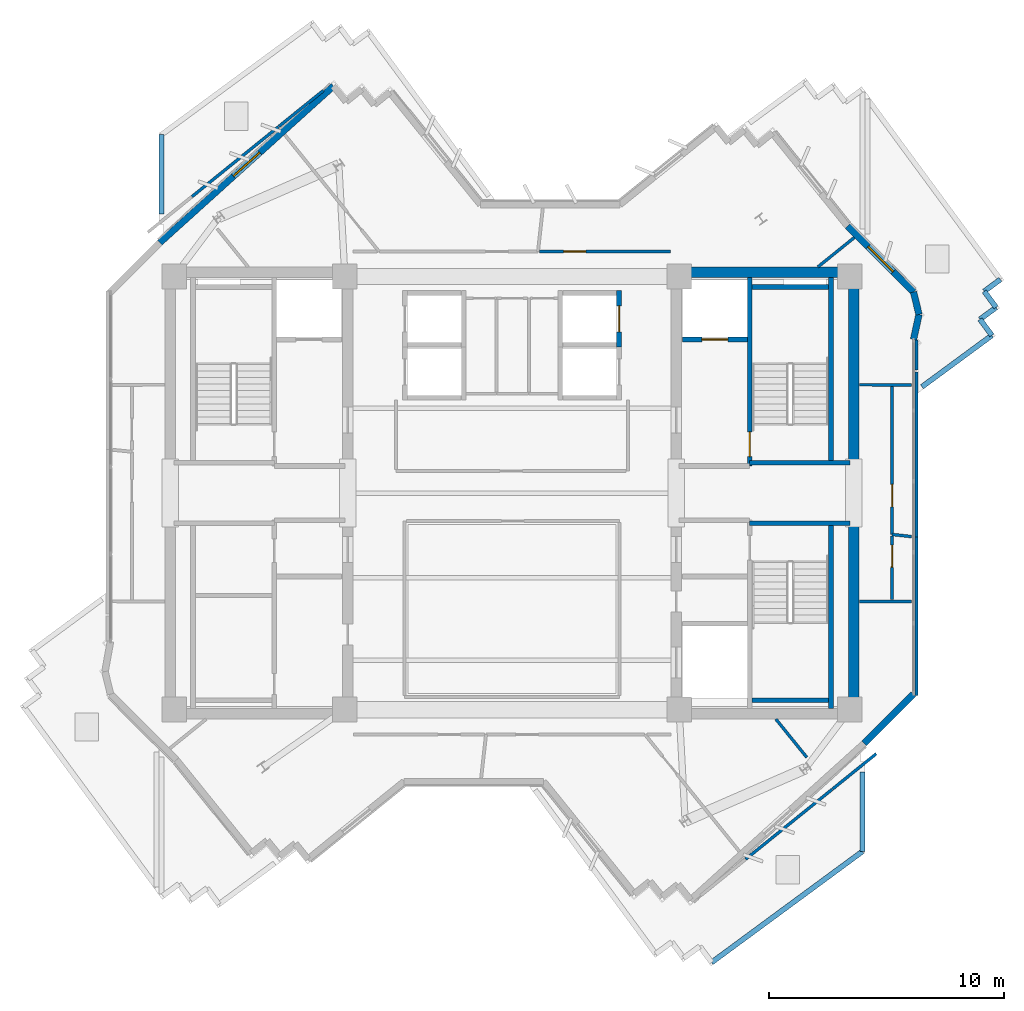
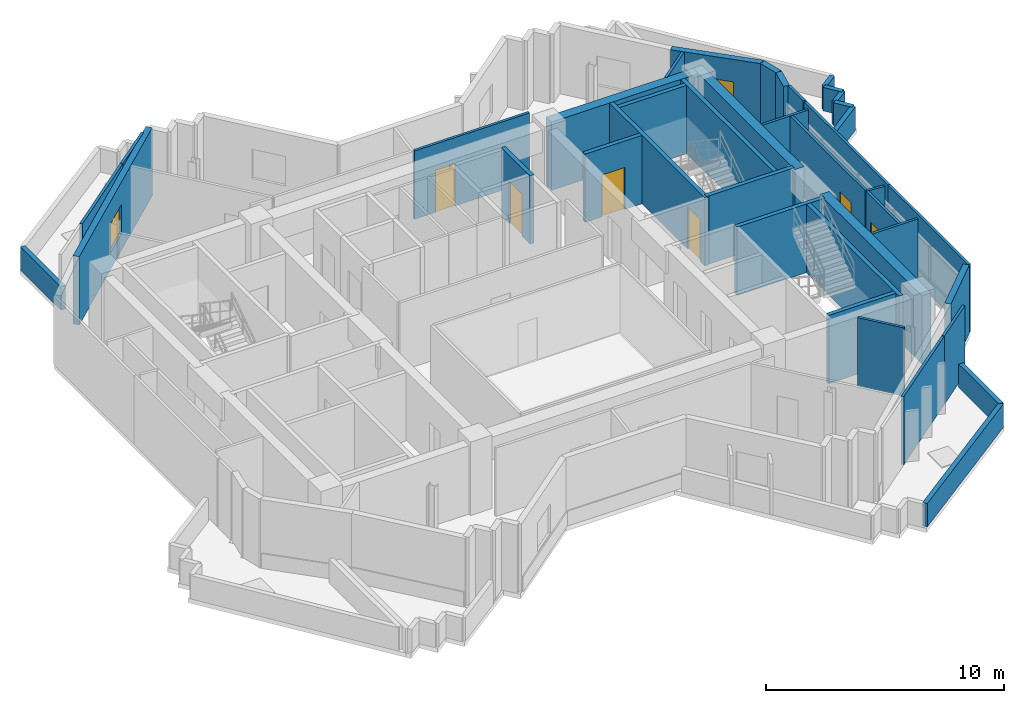
# One storey, part 9 of 12: 40 walls, 6 doors, 2 windows, 8 openings.
"""IFC4 building model written with IfcOpenShell, lengths in metres."""

from ifc_helpers import new_model, si_unit, direction, frame, frame_2d, origin, place, context, subcontext, project, spatial, rectangle, extrude, source, transform, mapped, material, layer, layer_set, type_object, element, fill, save


model = new_model("IFC4")

# Units and contexts
model_context = context("Model", 3, precision=1e-05, world=origin(), true_north=direction((0.0, 1.0)))
body_context = subcontext(model_context, "Body", "Model", "MODEL_VIEW")
ifc_project = project(units=[si_unit("LENGTHUNIT", "METRE"), si_unit("AREAUNIT", "SQUARE_METRE"), si_unit("VOLUMEUNIT", "CUBIC_METRE"), si_unit("PLANEANGLEUNIT", "RADIAN"), si_unit("MASSUNIT", "GRAM", prefix="KILO")], contexts=[model_context])

# Site, building, storey
site_placement = place(None, origin())
site = spatial("IfcSite", under=ifc_project, at=site_placement, CompositionType="ELEMENT")
building_placement = place(site_placement, origin())
building = spatial("IfcBuilding", under=site, at=building_placement, Name="Zahravan Cultural Tower", CompositionType="ELEMENT")
storey_placement = place(building_placement, frame((0.0, 0.0, 280.35009765625)))
storey = spatial("IfcBuildingStorey", under=building, at=storey_placement, Name="L67", CompositionType="ELEMENT", Elevation=280.35009765625)

# Wall, opening, window
ifc_material_1 = material(Name="Precast concrete C40/50", Category="concrete")
ifc_layer_1 = layer(ifc_material_1, 0.280029296875)
ifc_layer_set_1 = layer_set([ifc_layer_1], Name="Precast concrete C40/50")
wall_type_1 = type_object("IfcWallType", Name="EW-TC-280", PredefinedType="SOLIDWALL", material=ifc_layer_set_1)
wall_1_placement = place(storey_placement, frame((21.0361328125, 37.63818359375, 0.0), z_axis=(0.0, 0.0, 1.0), x_axis=(0.742587457262, 0.669749108486, 0.0)))
wall_1 = element("IfcWall", 1, at=wall_1_placement, inside=storey, type_object=wall_type_1, Name="L67 Exterior Masonry Frame Wall 02", PredefinedType="SOLIDWALL", context=body_context, shape_type="SweptSolid", body=[
    extrude(rectangle(XDim=9.934814453125, YDim=0.280029296875, at=frame_2d((4.96728515625, 0.0))), origin(), (0.0, 0.0, 1.0), 3.5),
])
opening_1_placement = place(wall_1_placement, frame((4.217041015625, 0.0, 0.85009765625)))
opening_1 = element("IfcOpeningElement", 2, at=opening_1_placement, cuts=wall_1, Name="Opening WN-03", PredefinedType="OPENING", context=body_context, shape_type="SweptSolid", body=[
    extrude(rectangle(XDim=1.5, YDim=1.5, at=frame_2d((0.75, 0.75))), frame((0.0, 0.14990234375, 0.0), z_axis=(0.0, -1.0, 0.0), x_axis=(1.0, 0.0, 0.0)), (0.0, 0.0, 1.0), 0.300048828125),
])
ifc_material_2 = material(Name="Low-E solar-control double glazing", Category="glass")
window_type = type_object("IfcWindowType", Name="WN-REC-1500X1500", PartitioningType="SINGLE_PANEL", PredefinedType="WINDOW", material=ifc_material_2)
shared_shape_1 = source(origin(), body_context, "Body", "SweptSolid", [
    extrude(rectangle(XDim=1.5, YDim=1.5, at=frame_2d((0.75, 0.75))), frame((0.0, 0.030029296875, 0.0), z_axis=(0.0, -1.0, 0.0), x_axis=(1.0, 0.0, 0.0)), (0.0, 0.0, 1.0), 0.06005859375),
])
window_1_placement = place(opening_1_placement, origin())
window_1 = element("IfcWindow", 3, at=window_1_placement, inside=storey, type_object=window_type, Name="L67 Recessed Solar Window 01", OverallHeight=1.5, OverallWidth=1.5, PartitioningType="SINGLE_PANEL", PredefinedType="WINDOW", context=body_context, shape_type="MappedRepresentation", body=[
    mapped(shared_shape_1, transform((0.0, 0.0, 0.0), x_axis=(1.0, 0.0, 0.0), y_axis=(0.0, 1.0, 0.0), z_axis=(0.0, 0.0, 1.0), scale=1.0)),
])
fill(opening_1, window_1)

wall_2_placement = place(storey_placement, frame((50.259765625, 38.34228515625, 0.0), z_axis=(0.0, 0.0, 1.0), x_axis=(0.707106781187, -0.707106781187, 0.0)))
wall_2 = element("IfcWall", 4, at=wall_2_placement, inside=storey, type_object=wall_type_1, Name="L67 Exterior Masonry Frame Wall 15", PredefinedType="SOLIDWALL", context=body_context, shape_type="SweptSolid", body=[
    extrude(rectangle(XDim=3.960205078125, YDim=0.280029296875, at=frame_2d((1.97998046875, 0.0))), origin(), (0.0, 0.0, 1.0), 3.5),
])
opening_2_placement = place(wall_2_placement, frame((1.22998046875, 0.0, 0.85009765625)))
opening_2 = element("IfcOpeningElement", 5, at=opening_2_placement, cuts=wall_2, Name="Opening WN-03", PredefinedType="OPENING", context=body_context, shape_type="SweptSolid", body=[
    extrude(rectangle(XDim=1.5, YDim=1.5, at=frame_2d((0.75, 0.75))), frame((0.0, 0.14990234375, 0.0), z_axis=(0.0, -1.0, 0.0), x_axis=(1.0, 0.0, 0.0)), (0.0, 0.0, 1.0), 0.300048828125),
])
window_2_placement = place(opening_2_placement, origin())
window_2 = element("IfcWindow", 6, at=window_2_placement, inside=storey, type_object=window_type, Name="L67 Recessed Solar Window 05", OverallHeight=1.5, OverallWidth=1.5, PartitioningType="SINGLE_PANEL", PredefinedType="WINDOW", context=body_context, shape_type="MappedRepresentation", body=[
    mapped(shared_shape_1, transform((0.0, 0.0, 0.0), x_axis=(1.0, 0.0, 0.0), y_axis=(0.0, 1.0, 0.0), z_axis=(0.0, 0.0, 1.0), scale=1.0)),
])
fill(opening_2, window_2)

# Wall, opening, door
ifc_material_3 = material(Name="Gypsum plasterboard partition")
ifc_layer_2 = layer(ifc_material_3, 0.125)
ifc_layer_set_2 = layer_set([ifc_layer_2], Name="Gypsum plasterboard partition")
wall_type_2 = type_object("IfcWallType", Name="W-PART-125", PredefinedType="PARTITIONING", material=ifc_layer_set_2)
wall_3_placement = place(storey_placement, frame((52.14990234375, 25.240478515625, 0.0), z_axis=(0.0, 0.0, 1.0), x_axis=(-0.000155231293, 0.999999987952, 0.0)))
wall_3 = element("IfcWall", 7, at=wall_3_placement, inside=storey, type_object=wall_type_2, Name="L67 Interior Wall 060", PredefinedType="PARTITIONING", context=body_context, shape_type="SweptSolid", body=[
    extrude(rectangle(XDim=6.291015625, YDim=0.125, at=frame_2d((3.1455078125, 0.0))), origin(), (0.0, 0.0, 1.0), 3.5),
])
opening_3_placement = place(wall_3_placement, frame((1.175048828125, 0.0, 0.0)))
opening_3 = element("IfcOpeningElement", 8, at=opening_3_placement, cuts=wall_3, Name="Opening D-L67-17", PredefinedType="OPENING", context=body_context, shape_type="SweptSolid", body=[
    extrude(rectangle(XDim=0.949951171875, YDim=2.14990234375, at=frame_2d((0.47509765625, 1.074951171875))), frame((0.0, 0.072509765625, 0.0), z_axis=(0.0, -1.0, 0.0), x_axis=(1.0, 0.0, 0.0)), (0.0, 0.0, 1.0), 0.14501953125),
])
ifc_material_4 = material(Name="Anodised bronze-aluminium mullion", Category="aluminium")
door_type_1 = type_object("IfcDoorType", Name="DR-ROOM-950", OperationType="NOTDEFINED", PredefinedType="DOOR", material=ifc_material_4)
shared_shape_2 = source(origin(), body_context, "Body", "SweptSolid", [
    extrude(rectangle(XDim=0.949951171875, YDim=2.14990234375, at=frame_2d((0.47509765625, 1.074951171875))), frame((0.0, 0.02490234375, 0.0), z_axis=(0.0, -1.0, 0.0), x_axis=(1.0, 0.0, 0.0)), (0.0, 0.0, 1.0), 0.050048828125),
])
door_1_placement = place(opening_3_placement, origin())
door_1 = element("IfcDoor", 9, at=door_1_placement, inside=storey, type_object=door_type_1, Name="L67 Door D-L67-17", OperationType="SINGLE_SWING_RIGHT", OverallHeight=2.14990234375, OverallWidth=0.949951171875, PredefinedType="DOOR", context=body_context, shape_type="MappedRepresentation", body=[
    mapped(shared_shape_2, transform((0.0, 0.0, 0.0), x_axis=(1.0, 0.0, 0.0), y_axis=(0.0, 1.0, 0.0), z_axis=(0.0, 0.0, 1.0), scale=1.0)),
])
fill(opening_3, door_1)

wall_4_placement = place(storey_placement, frame((52.146484375, 22.468017578125, 0.0), z_axis=(0.0, 0.0, 1.0), x_axis=(0.001263765014, 0.999999201449, 0.0)))
wall_4 = element("IfcWall", 10, at=wall_4_placement, inside=storey, type_object=wall_type_2, Name="L67 Interior Wall 063", PredefinedType="PARTITIONING", context=body_context, shape_type="SweptSolid", body=[
    extrude(rectangle(XDim=2.70458984375, YDim=0.125, at=frame_2d((1.352294921875, 0.0))), origin(), (0.0, 0.0, 1.0), 3.5),
])
opening_4_placement = place(wall_4_placement, frame((1.36865234375, 0.0, 0.0)))
opening_4 = element("IfcOpeningElement", 11, at=opening_4_placement, cuts=wall_4, Name="Opening D-L67-24", PredefinedType="OPENING", context=body_context, shape_type="SweptSolid", body=[
    extrude(rectangle(XDim=0.949951171875, YDim=2.14990234375, at=frame_2d((0.47509765625, 1.074951171875))), frame((0.0, 0.072509765625, 0.0), z_axis=(0.0, -1.0, 0.0), x_axis=(1.0, 0.0, 0.0)), (0.0, 0.0, 1.0), 0.14501953125),
])
door_2_placement = place(opening_4_placement, origin())
door_2 = element("IfcDoor", 12, at=door_2_placement, inside=storey, type_object=door_type_1, Name="L67 Door D-L67-24", OperationType="SINGLE_SWING_LEFT", OverallHeight=2.14990234375, OverallWidth=0.949951171875, PredefinedType="DOOR", context=body_context, shape_type="MappedRepresentation", body=[
    mapped(shared_shape_2, transform((0.0, 0.0, 0.0), x_axis=(1.0, 0.0, 0.0), y_axis=(0.0, 1.0, 0.0), z_axis=(0.0, 0.0, 1.0), scale=1.0)),
])
fill(opening_4, door_2)

wall_5_placement = place(storey_placement, frame((42.742431640625, 37.259765625, 0.0), z_axis=(0.0, 0.0, 1.0), x_axis=(-0.99999999904, 4.382505e-05, 0.0)))
wall_5 = element("IfcWall", 13, at=wall_5_placement, inside=storey, type_object=wall_type_2, Name="L67 Interior Wall 086", PredefinedType="PARTITIONING", context=body_context, shape_type="SweptSolid", body=[
    extrude(rectangle(XDim=5.57080078125, YDim=0.125, at=frame_2d((2.785400390625, 0.0))), origin(), (0.0, 0.0, 1.0), 3.5),
])
opening_5_placement = place(wall_5_placement, frame((3.604248046875, 0.0, 0.0)))
opening_5 = element("IfcOpeningElement", 14, at=opening_5_placement, cuts=wall_5, Name="Opening D-L67-18", PredefinedType="OPENING", context=body_context, shape_type="SweptSolid", body=[
    extrude(rectangle(XDim=0.949951171875, YDim=2.14990234375, at=frame_2d((0.47509765625, 1.074951171875))), frame((0.0, 0.072509765625, 0.0), z_axis=(0.0, -1.0, 0.0), x_axis=(1.0, 0.0, 0.0)), (0.0, 0.0, 1.0), 0.14501953125),
])
door_3_placement = place(opening_5_placement, origin())
door_3 = element("IfcDoor", 15, at=door_3_placement, inside=storey, type_object=door_type_1, Name="L67 Door D-L67-18", OperationType="SINGLE_SWING_LEFT", OverallHeight=2.14990234375, OverallWidth=0.949951171875, PredefinedType="DOOR", context=body_context, shape_type="MappedRepresentation", body=[
    mapped(shared_shape_2, transform((0.0, 0.0, 0.0), x_axis=(1.0, 0.0, 0.0), y_axis=(0.0, 1.0, 0.0), z_axis=(0.0, 0.0, 1.0), scale=1.0)),
])
fill(opening_5, door_3)

ifc_material_5 = material(Name="Concrete C45/55", Category="concrete")
ifc_layer_3 = layer(ifc_material_5, 0.199951171875)
ifc_layer_set_3 = layer_set([ifc_layer_3], Name="Concrete C45/55")
wall_type_3 = type_object("IfcWallType", Name="W-SHAFT-200", PredefinedType="SOLIDWALL", material=ifc_layer_set_3)
wall_6_placement = place(storey_placement, frame((46.10009765625, 28.14990234375, 0.0), z_axis=(0.0, 0.0, 1.0), x_axis=(0.0, 1.0, 0.0)))
wall_6 = element("IfcWall", 16, at=wall_6_placement, inside=storey, type_object=wall_type_3, Name="L67 Interior Wall 008", PredefinedType="SOLIDWALL", context=body_context, shape_type="SweptSolid", body=[
    extrude(rectangle(XDim=8.0, YDim=0.199951171875, at=frame_2d((4.0, 0.0))), origin(), (0.0, 0.0, 1.0), 3.5),
])
opening_6_placement = place(wall_6_placement, frame((0.39990234375, 0.0, 0.0)))
opening_6 = element("IfcOpeningElement", 17, at=opening_6_placement, cuts=wall_6, Name="Opening D-L67-02", PredefinedType="OPENING", context=body_context, shape_type="SweptSolid", body=[
    extrude(rectangle(XDim=1.050048828125, YDim=2.14990234375, at=frame_2d((0.52490234375, 1.074951171875))), frame((0.0, 0.10986328125, 0.0), z_axis=(0.0, -1.0, 0.0), x_axis=(1.0, 0.0, 0.0)), (0.0, 0.0, 1.0), 0.219970703125),
])
ifc_material_6 = material(Name="Steel ASTM A572 Grade 50", Category="steel")
door_type_2 = type_object("IfcDoorType", Name="DR-STAIR-1050", OperationType="NOTDEFINED", PredefinedType="DOOR", material=ifc_material_6)
shared_shape_3 = source(origin(), body_context, "Body", "SweptSolid", [
    extrude(rectangle(XDim=1.050048828125, YDim=2.14990234375, at=frame_2d((0.52490234375, 1.074951171875))), frame((0.0, 0.02490234375, 0.0), z_axis=(0.0, -1.0, 0.0), x_axis=(1.0, 0.0, 0.0)), (0.0, 0.0, 1.0), 0.050048828125),
])
door_4_placement = place(opening_6_placement, origin())
door_4 = element("IfcDoor", 18, at=door_4_placement, inside=storey, type_object=door_type_2, Name="L67 Door D-L67-02", OperationType="SINGLE_SWING_LEFT", OverallHeight=2.14990234375, OverallWidth=1.050048828125, PredefinedType="DOOR", context=body_context, shape_type="MappedRepresentation", body=[
    mapped(shared_shape_3, transform((0.0, 0.0, 0.0), x_axis=(1.0, 0.0, 0.0), y_axis=(0.0, 1.0, 0.0), z_axis=(0.0, 0.0, 1.0), scale=1.0)),
])
fill(opening_6, door_4)

wall_7_placement = place(storey_placement, frame((43.25, 33.52001953125, 0.0), z_axis=(0.0, 0.0, 1.0), x_axis=(1.0, 0.0, 0.0)))
wall_7 = element("IfcWall", 19, at=wall_7_placement, inside=storey, type_object=wall_type_3, Name="L67 Interior Wall 023", PredefinedType="SOLIDWALL", context=body_context, shape_type="SweptSolid", body=[
    extrude(rectangle(XDim=2.75, YDim=0.199951171875, at=frame_2d((1.375, 0.0))), origin(), (0.0, 0.0, 1.0), 3.5),
])
opening_7_placement = place(wall_7_placement, frame((0.820068359375, 0.0, 0.0)))
opening_7 = element("IfcOpeningElement", 20, at=opening_7_placement, cuts=wall_7, Name="Opening LD-L67-02", PredefinedType="OPENING", context=body_context, shape_type="SweptSolid", body=[
    extrude(rectangle(XDim=1.10009765625, YDim=2.14990234375, at=frame_2d((0.550048828125, 1.074951171875))), frame((0.0, 0.10986328125, 0.0), z_axis=(0.0, -1.0, 0.0), x_axis=(1.0, 0.0, 0.0)), (0.0, 0.0, 1.0), 0.219970703125),
])
door_type_3 = type_object("IfcDoorType", Name="DR-LIFT-1100", OperationType="DOUBLE_DOOR_SLIDING", PredefinedType="DOOR", material=ifc_material_6)
shared_shape_4 = source(origin(), body_context, "Body", "SweptSolid", [
    extrude(rectangle(XDim=1.10009765625, YDim=2.14990234375, at=frame_2d((0.550048828125, 1.074951171875))), frame((0.0, 0.02490234375, 0.0), z_axis=(0.0, -1.0, 0.0), x_axis=(1.0, 0.0, 0.0)), (0.0, 0.0, 1.0), 0.050048828125),
])
door_5_placement = place(opening_7_placement, origin())
door_5 = element("IfcDoor", 21, at=door_5_placement, inside=storey, type_object=door_type_3, Name="L67 Door LD-L67-02", OperationType="DOUBLE_DOOR_SLIDING", OverallHeight=2.14990234375, OverallWidth=1.10009765625, PredefinedType="DOOR", context=body_context, shape_type="MappedRepresentation", body=[
    mapped(shared_shape_4, transform((0.0, 0.0, 0.0), x_axis=(1.0, 0.0, 0.0), y_axis=(0.0, 1.0, 0.0), z_axis=(0.0, 0.0, 1.0), scale=1.0)),
])
fill(opening_7, door_5)

wall_8_placement = place(storey_placement, frame((40.550048828125, 33.199951171875, 0.0), z_axis=(0.0, 0.0, 1.0), x_axis=(0.0, 1.0, 0.0)))
wall_8 = element("IfcWall", 22, at=wall_8_placement, inside=storey, type_object=wall_type_3, Name="L67 Interior Wall 035", PredefinedType="SOLIDWALL", context=body_context, shape_type="SweptSolid", body=[
    extrude(rectangle(XDim=2.400146484375, YDim=0.199951171875, at=frame_2d((1.2001953125, 0.0))), origin(), (0.0, 0.0, 1.0), 3.5),
])
opening_8_placement = place(wall_8_placement, frame((0.64990234375, 0.0, 0.0)))
opening_8 = element("IfcOpeningElement", 23, at=opening_8_placement, cuts=wall_8, Name="Opening LD-L67-06", PredefinedType="OPENING", context=body_context, shape_type="SweptSolid", body=[
    extrude(rectangle(XDim=1.10009765625, YDim=2.14990234375, at=frame_2d((0.550048828125, 1.074951171875))), frame((0.0, 0.10986328125, 0.0), z_axis=(0.0, -1.0, 0.0), x_axis=(1.0, 0.0, 0.0)), (0.0, 0.0, 1.0), 0.219970703125),
])
door_6_placement = place(opening_8_placement, origin())
door_6 = element("IfcDoor", 24, at=door_6_placement, inside=storey, type_object=door_type_3, Name="L67 Door LD-L67-06", OperationType="DOUBLE_DOOR_SLIDING", OverallHeight=2.14990234375, OverallWidth=1.10009765625, PredefinedType="DOOR", context=body_context, shape_type="MappedRepresentation", body=[
    mapped(shared_shape_4, transform((0.0, 0.0, 0.0), x_axis=(1.0, 0.0, 0.0), y_axis=(0.0, 1.0, 0.0), z_axis=(0.0, 0.0, 1.0), scale=1.0)),
])
fill(opening_8, door_6)

# Walls
ifc_material_7 = material(Name="Concrete C50/60", Category="concrete")
ifc_layer_4 = layer(ifc_material_7, 0.449951171875)
ifc_layer_set_4 = layer_set([ifc_layer_4], Name="Concrete C50/60")
wall_type_4 = type_object("IfcWallType", Name="CW-SHEAR-450-C50", PredefinedType="SHEAR", material=ifc_layer_set_4)
shared_shape_5 = source(origin(), body_context, "Body", "SweptSolid", [
    extrude(rectangle(XDim=8.550048828125, YDim=0.449951171875, at=frame_2d((4.27490234375, 0.0))), origin(), (0.0, 0.0, 1.0), 3.5),
])
for number, where, z_axis, x_axis, name in (
    (25, (50.52490234375, 17.39990234375, 0.0), (0.0, 0.0, 1.0), (0.0, 1.0, 0.0), "L67 Core Shear Wall CW-E-ES-L67"),
    (26, (50.52490234375, 28.050048828125, 0.0), (0.0, 0.0, 1.0), (0.0, 1.0, 0.0), "L67 Core Shear Wall CW-E-EN-L67"),
):
    element("IfcWall", number, at=place(storey_placement, frame(where, z_axis=z_axis, x_axis=x_axis)), inside=storey, type_object=wall_type_4, Name=name, PredefinedType="SHEAR", context=body_context, shape_type="MappedRepresentation", body=[
        mapped(shared_shape_5, transform((0.0, 0.0, 0.0), x_axis=(1.0, 0.0, 0.0), y_axis=(0.0, 1.0, 0.0), z_axis=(0.0, 0.0, 1.0), scale=1.0)),
    ])
shared_shape_6 = source(origin(), body_context, "Body", "SweptSolid", [
    extrude(rectangle(XDim=7.10009765625, YDim=0.449951171875, at=frame_2d((3.550048828125, 0.0))), origin(), (0.0, 0.0, 1.0), 3.5),
])
wall_9_placement = place(storey_placement, frame((43.199951171875, 36.375, 0.0), z_axis=(0.0, 0.0, 1.0), x_axis=(1.0, 0.0, 0.0)))
element("IfcWall", 27, at=wall_9_placement, inside=storey, type_object=wall_type_4, Name="L67 Core Shear Wall CW-E-N-L67", PredefinedType="SHEAR", context=body_context, shape_type="MappedRepresentation", body=[
    mapped(shared_shape_6, transform((0.0, 0.0, 0.0), x_axis=(1.0, 0.0, 0.0), y_axis=(0.0, 1.0, 0.0), z_axis=(0.0, 0.0, 1.0), scale=1.0)),
])
ifc_layer_5 = layer(ifc_material_1, 0.219970703125)
ifc_layer_set_5 = layer_set([ifc_layer_5], Name="Precast concrete C40/50")
wall_type_5 = type_object("IfcWallType", Name="EW-PARAPET-220", PredefinedType="PARAPET", material=ifc_layer_set_5)
shared_shape_7 = source(origin(), body_context, "Body", "SweptSolid", [
    extrude(rectangle(XDim=0.85009765625, YDim=0.219970703125, at=frame_2d((0.425048828125, 0.0))), origin(), (0.0, 0.0, 1.0), 1.199951171875),
])
for number, where, z_axis, x_axis, name in (
    (28, (56.749267578125, 36.07421875, 0.0), (0.0, 0.0, 1.0), (-0.80534450163, -0.592807079659, 0.0), "L67 Setback Roof Parapet 2"),
    (29, (56.568359375, 34.8857421875, 0.0), (0.0, 0.0, 1.0), (-0.80534450163, -0.592807079659, 0.0), "L67 Setback Roof Parapet 4"),
    (30, (55.8837890625, 34.3818359375, 0.0), (0.0, 0.0, 1.0), (0.592807079659, -0.80534450163, 0.0), "L67 Setback Roof Parapet 5"),
):
    element("IfcWall", number, at=place(storey_placement, frame(where, z_axis=z_axis, x_axis=x_axis)), inside=storey, type_object=wall_type_5, Name=name, PredefinedType="PARAPET", context=body_context, shape_type="MappedRepresentation", body=[
        mapped(shared_shape_7, transform((0.0, 0.0, 0.0), x_axis=(1.0, 0.0, 0.0), y_axis=(0.0, 1.0, 0.0), z_axis=(0.0, 0.0, 1.0), scale=1.0)),
    ])
shared_shape_8 = source(origin(), body_context, "Body", "SweptSolid", [
    extrude(rectangle(XDim=0.849853515625, YDim=0.219970703125, at=frame_2d((0.4248046875, 0.0))), origin(), (0.0, 0.0, 1.0), 1.199951171875),
])
wall_10_placement = place(storey_placement, frame((56.064697265625, 35.5703125, 0.0), z_axis=(0.0, 0.0, 1.0), x_axis=(0.592620751712, -0.805481622783, 0.0)))
element("IfcWall", 31, at=wall_10_placement, inside=storey, type_object=wall_type_5, Name="L67 Setback Roof Parapet 3", PredefinedType="PARAPET", context=body_context, shape_type="MappedRepresentation", body=[
    mapped(shared_shape_8, transform((0.0, 0.0, 0.0), x_axis=(1.0, 0.0, 0.0), y_axis=(0.0, 1.0, 0.0), z_axis=(0.0, 0.0, 1.0), scale=1.0)),
])
shared_shape_9 = source(origin(), body_context, "Body", "SweptSolid", [
    extrude(rectangle(XDim=7.956787109375, YDim=0.219970703125, at=frame_2d((3.978515625, 0.0))), origin(), (0.0, 0.0, 1.0), 1.199951171875),
])
wall_11_placement = place(storey_placement, frame((50.889892578125, 11.7724609375, 0.0), z_axis=(0.0, 0.0, 1.0), x_axis=(-0.805398118922, -0.592734232212, 0.0)))
element("IfcWall", 32, at=wall_11_placement, inside=storey, type_object=wall_type_5, Name="L67 Setback Roof Parapet 1", PredefinedType="PARAPET", context=body_context, shape_type="MappedRepresentation", body=[
    mapped(shared_shape_9, transform((0.0, 0.0, 0.0), x_axis=(1.0, 0.0, 0.0), y_axis=(0.0, 1.0, 0.0), z_axis=(0.0, 0.0, 1.0), scale=1.0)),
])
shared_shape_10 = source(origin(), body_context, "Body", "SweptSolid", [
    extrude(rectangle(XDim=3.36962890625, YDim=0.219970703125, at=frame_2d((1.684814453125, 0.0))), origin(), (0.0, 0.0, 1.0), 1.199951171875),
])
for number, where, z_axis, x_axis, name in (
    (33, (21.110107421875, 38.85791015625, 0.0), (0.0, 0.0, 1.0), (0.0, 1.0, 0.0), "L67 Setback Roof Parapet 7"),
    (34, (50.889892578125, 15.14208984375, 0.0), (0.0, 0.0, 1.0), (0.0, -1.0, 0.0), "L67 Setback Roof Parapet 7"),
):
    element("IfcWall", number, at=place(storey_placement, frame(where, z_axis=z_axis, x_axis=x_axis)), inside=storey, type_object=wall_type_5, Name=name, PredefinedType="PARAPET", context=body_context, shape_type="MappedRepresentation", body=[
        mapped(shared_shape_10, transform((0.0, 0.0, 0.0), x_axis=(1.0, 0.0, 0.0), y_axis=(0.0, 1.0, 0.0), z_axis=(0.0, 0.0, 1.0), scale=1.0)),
    ])
shared_shape_11 = source(origin(), body_context, "Body", "SweptSolid", [
    extrude(rectangle(XDim=3.6845703125, YDim=0.219970703125, at=frame_2d((1.84228515625, 0.0))), origin(), (0.0, 0.0, 1.0), 1.199951171875),
])
wall_12_placement = place(storey_placement, frame((56.3876953125, 33.697265625, 0.0), z_axis=(0.0, 0.0, 1.0), x_axis=(-0.805437043351, -0.592681338662, 0.0)))
element("IfcWall", 35, at=wall_12_placement, inside=storey, type_object=wall_type_5, Name="L67 Setback Roof Parapet 6", PredefinedType="PARAPET", context=body_context, shape_type="MappedRepresentation", body=[
    mapped(shared_shape_11, transform((0.0, 0.0, 0.0), x_axis=(1.0, 0.0, 0.0), y_axis=(0.0, 1.0, 0.0), z_axis=(0.0, 0.0, 1.0), scale=1.0)),
])
shared_shape_12 = source(origin(), body_context, "Body", "SweptSolid", [
    extrude(rectangle(XDim=2.96435546875, YDim=0.280029296875, at=frame_2d((1.482177734375, 0.0))), origin(), (0.0, 0.0, 1.0), 3.5),
])
wall_13_placement = place(storey_placement, frame((53.06005859375, 18.4580078125, 0.0), z_axis=(0.0, 0.0, 1.0), x_axis=(-0.707106781187, -0.707106781187, 0.0)))
element("IfcWall", 36, at=wall_13_placement, inside=storey, type_object=wall_type_1, Name="L67 Exterior Masonry Frame Wall 18", PredefinedType="SOLIDWALL", context=body_context, shape_type="MappedRepresentation", body=[
    mapped(shared_shape_12, transform((0.0, 0.0, 0.0), x_axis=(1.0, 0.0, 0.0), y_axis=(0.0, 1.0, 0.0), z_axis=(0.0, 0.0, 1.0), scale=1.0)),
])
shared_shape_13 = source(origin(), body_context, "Body", "SweptSolid", [
    extrude(rectangle(XDim=0.9833984375, YDim=0.280029296875, at=frame_2d((0.49169921875, 0.0))), origin(), (0.0, 0.0, 1.0), 3.5),
])
wall_14_placement = place(storey_placement, frame((53.06005859375, 35.5419921875, 0.0), z_axis=(0.0, 0.0, 1.0), x_axis=(0.235870049888, -0.971784605541, 0.0)))
element("IfcWall", 37, at=wall_14_placement, inside=storey, type_object=wall_type_1, Name="L67 Exterior Masonry Frame Wall 16", PredefinedType="SOLIDWALL", context=body_context, shape_type="MappedRepresentation", body=[
    mapped(shared_shape_13, transform((0.0, 0.0, 0.0), x_axis=(1.0, 0.0, 0.0), y_axis=(0.0, 1.0, 0.0), z_axis=(0.0, 0.0, 1.0), scale=1.0)),
])
shared_shape_14 = source(origin(), body_context, "Body", "SweptSolid", [
    extrude(rectangle(XDim=1.090576171875, YDim=0.280029296875, at=frame_2d((0.54541015625, 0.0))), origin(), (0.0, 0.0, 1.0), 3.5),
])
wall_15_placement = place(storey_placement, frame((53.2919921875, 34.58642578125, 0.0), z_axis=(0.0, 0.0, 1.0), x_axis=(-0.212661978508, -0.977125827566, 0.0)))
element("IfcWall", 38, at=wall_15_placement, inside=storey, type_object=wall_type_1, Name="L67 Exterior Masonry Frame Wall 17", PredefinedType="SOLIDWALL", context=body_context, shape_type="MappedRepresentation", body=[
    mapped(shared_shape_14, transform((0.0, 0.0, 0.0), x_axis=(1.0, 0.0, 0.0), y_axis=(0.0, 1.0, 0.0), z_axis=(0.0, 0.0, 1.0), scale=1.0)),
])
shared_shape_15 = source(origin(), body_context, "Body", "SweptSolid", [
    extrude(rectangle(XDim=7.869873046875, YDim=0.199951171875, at=frame_2d((3.93505859375, 0.0))), origin(), (0.0, 0.0, 1.0), 3.5),
])
for number, where, z_axis, x_axis, name in (
    (39, (49.550048828125, 17.85009765625, 0.0), (0.0, 0.0, 1.0), (0.0, 1.0, 0.0), "L67 Interior Wall 003"),
    (40, (49.550048828125, 28.280029296875, 0.0), (0.0, 0.0, 1.0), (0.0, 1.0, 0.0), "L67 Interior Wall 004"),
):
    element("IfcWall", number, at=place(storey_placement, frame(where, z_axis=z_axis, x_axis=x_axis)), inside=storey, type_object=wall_type_3, Name=name, PredefinedType="SOLIDWALL", context=body_context, shape_type="MappedRepresentation", body=[
        mapped(shared_shape_15, transform((0.0, 0.0, 0.0), x_axis=(1.0, 0.0, 0.0), y_axis=(0.0, 1.0, 0.0), z_axis=(0.0, 0.0, 1.0), scale=1.0)),
    ])
shared_shape_16 = source(origin(), body_context, "Body", "SweptSolid", [
    extrude(rectangle(XDim=4.25, YDim=0.199951171875, at=frame_2d((2.125, 0.0))), origin(), (0.0, 0.0, 1.0), 3.5),
])
for number, where, z_axis, x_axis, name in (
    (41, (46.10009765625, 25.715087890625, 0.0), (0.0, 0.0, 1.0), (1.0, 0.0, 0.0), "L67 Interior Wall 014"),
    (42, (46.10009765625, 28.284912109375, 0.0), (0.0, 0.0, 1.0), (1.0, 0.0, 0.0), "L67 Interior Wall 016"),
):
    element("IfcWall", number, at=place(storey_placement, frame(where, z_axis=z_axis, x_axis=x_axis)), inside=storey, type_object=wall_type_3, Name=name, PredefinedType="SOLIDWALL", context=body_context, shape_type="MappedRepresentation", body=[
        mapped(shared_shape_16, transform((0.0, 0.0, 0.0), x_axis=(1.0, 0.0, 0.0), y_axis=(0.0, 1.0, 0.0), z_axis=(0.0, 0.0, 1.0), scale=1.0)),
    ])
shared_shape_17 = source(origin(), body_context, "Body", "SweptSolid", [
    extrude(rectangle(XDim=3.25, YDim=0.199951171875, at=frame_2d((1.625, 0.0))), origin(), (0.0, 0.0, 1.0), 3.5),
])
for number, where, z_axis, x_axis, name in (
    (43, (46.199951171875, 35.75, 0.0), (0.0, 0.0, 1.0), (1.0, 0.0, 0.0), "L67 Interior Wall 018"),
    (44, (46.199951171875, 18.199951171875, 0.0), (0.0, 0.0, 1.0), (1.0, 0.0, 0.0), "L67 Interior Wall 020"),
):
    element("IfcWall", number, at=place(storey_placement, frame(where, z_axis=z_axis, x_axis=x_axis)), inside=storey, type_object=wall_type_3, Name=name, PredefinedType="SOLIDWALL", context=body_context, shape_type="MappedRepresentation", body=[
        mapped(shared_shape_17, transform((0.0, 0.0, 0.0), x_axis=(1.0, 0.0, 0.0), y_axis=(0.0, 1.0, 0.0), z_axis=(0.0, 0.0, 1.0), scale=1.0)),
    ])
shared_shape_18 = source(origin(), body_context, "Body", "SweptSolid", [
    extrude(rectangle(XDim=4.72021484375, YDim=0.125, at=frame_2d((2.360107421875, 0.0))), origin(), (0.0, 0.0, 1.0), 3.5),
])
for number, where, z_axis, x_axis, name in (
    (45, (22.401611328125, 39.59228515625, 0.0), (0.0, 0.0, 1.0), (0.778024801452, 0.628233561922, 0.0), "L67 Interior Wall 073"),
    (46, (49.598388671875, 14.40771484375, 0.0), (0.0, 0.0, 1.0), (-0.778024801452, -0.628233561922, 0.0), "L67 Interior Wall 074"),
):
    element("IfcWall", number, at=place(storey_placement, frame(where, z_axis=z_axis, x_axis=x_axis)), inside=storey, type_object=wall_type_2, Name=name, PredefinedType="PARTITIONING", context=body_context, shape_type="MappedRepresentation", body=[
        mapped(shared_shape_18, transform((0.0, 0.0, 0.0), x_axis=(1.0, 0.0, 0.0), y_axis=(0.0, 1.0, 0.0), z_axis=(0.0, 0.0, 1.0), scale=1.0)),
    ])
shared_shape_19 = source(origin(), body_context, "Body", "SweptSolid", [
    extrude(rectangle(XDim=2.389892578125, YDim=0.125, at=frame_2d((1.19482421875, 0.0))), origin(), (0.0, 0.0, 1.0), 3.5),
])
wall_16_placement = place(storey_placement, frame((51.473388671875, 15.921630859375, 0.0), z_axis=(0.0, 0.0, 1.0), x_axis=(-0.778010315123, -0.628251501839, 0.0)))
element("IfcWall", 47, at=wall_16_placement, inside=storey, type_object=wall_type_2, Name="L67 Interior Wall 065", PredefinedType="PARTITIONING", context=body_context, shape_type="MappedRepresentation", body=[
    mapped(shared_shape_19, transform((0.0, 0.0, 0.0), x_axis=(1.0, 0.0, 0.0), y_axis=(0.0, 1.0, 0.0), z_axis=(0.0, 0.0, 1.0), scale=1.0)),
])
shared_shape_20 = source(origin(), body_context, "Body", "SweptSolid", [
    extrude(rectangle(XDim=1.989013671875, YDim=0.125, at=frame_2d((0.99462890625, 0.0))), origin(), (0.0, 0.0, 1.0), 3.5),
])
wall_17_placement = place(storey_placement, frame((48.994873046875, 36.60498046875, 0.0), z_axis=(0.0, 0.0, 1.0), x_axis=(0.778058853423, 0.628191388519, 0.0)))
element("IfcWall", 48, at=wall_17_placement, inside=storey, type_object=wall_type_2, Name="L67 Interior Wall 056", PredefinedType="PARTITIONING", context=body_context, shape_type="MappedRepresentation", body=[
    mapped(shared_shape_20, transform((0.0, 0.0, 0.0), x_axis=(1.0, 0.0, 0.0), y_axis=(0.0, 1.0, 0.0), z_axis=(0.0, 0.0, 1.0), scale=1.0)),
])
shared_shape_21 = source(origin(), body_context, "Body", "SweptSolid", [
    extrude(rectangle(XDim=2.22265625, YDim=0.125, at=frame_2d((1.111328125, 0.0))), origin(), (0.0, 0.0, 1.0), 3.5),
])
for number, where, z_axis, x_axis, name in (
    (49, (52.9775390625, 31.598388671875, 0.0), (0.0, 0.0, 1.0), (-0.999999704402, 0.000768892567, 0.0), "L67 Interior Wall 055"),
    (50, (50.7548828125, 22.39990234375, 0.0), (0.0, 0.0, 1.0), (0.999999903478, 0.000439367269, 0.0), "L67 Interior Wall 062"),
):
    element("IfcWall", number, at=place(storey_placement, frame(where, z_axis=z_axis, x_axis=x_axis)), inside=storey, type_object=wall_type_2, Name=name, PredefinedType="PARTITIONING", context=body_context, shape_type="MappedRepresentation", body=[
        mapped(shared_shape_21, transform((0.0, 0.0, 0.0), x_axis=(1.0, 0.0, 0.0), y_axis=(0.0, 1.0, 0.0), z_axis=(0.0, 0.0, 1.0), scale=1.0)),
    ])
shared_shape_22 = source(origin(), body_context, "Body", "SweptSolid", [
    extrude(rectangle(XDim=1.275634765625, YDim=0.125, at=frame_2d((0.6376953125, 0.0))), origin(), (0.0, 0.0, 1.0), 3.5),
])
wall_18_placement = place(storey_placement, frame((53.179931640625, 33.499755859375, 0.0), z_axis=(0.0, 0.0, 1.0), x_axis=(0.0, -1.0, 0.0)))
element("IfcWall", 51, at=wall_18_placement, inside=storey, type_object=wall_type_2, Name="L67 Interior Wall 057", PredefinedType="PARTITIONING", context=body_context, shape_type="MappedRepresentation", body=[
    mapped(shared_shape_22, transform((0.0, 0.0, 0.0), x_axis=(1.0, 0.0, 0.0), y_axis=(0.0, 1.0, 0.0), z_axis=(0.0, 0.0, 1.0), scale=1.0)),
])
shared_shape_23 = source(origin(), body_context, "Body", "SweptSolid", [
    extrude(rectangle(XDim=7.014404296875, YDim=0.125, at=frame_2d((3.50732421875, 0.0))), origin(), (0.0, 0.0, 1.0), 3.5),
])
wall_19_placement = place(storey_placement, frame((53.179931640625, 32.140380859375, 0.0), z_axis=(0.0, 0.0, 1.0), x_axis=(0.0, -1.0, 0.0)))
element("IfcWall", 52, at=wall_19_placement, inside=storey, type_object=wall_type_2, Name="L67 Interior Wall 058", PredefinedType="PARTITIONING", context=body_context, shape_type="MappedRepresentation", body=[
    mapped(shared_shape_23, transform((0.0, 0.0, 0.0), x_axis=(1.0, 0.0, 0.0), y_axis=(0.0, 1.0, 0.0), z_axis=(0.0, 0.0, 1.0), scale=1.0)),
])
shared_shape_24 = source(origin(), body_context, "Body", "SweptSolid", [
    extrude(rectangle(XDim=0.82763671875, YDim=0.125, at=frame_2d((0.413818359375, 0.0))), origin(), (0.0, 0.0, 1.0), 3.5),
])
wall_20_placement = place(storey_placement, frame((52.972412109375, 25.14892578125, 0.0), z_axis=(0.0, 0.0, 1.0), x_axis=(-0.993862130166, 0.110625793652, 0.0)))
element("IfcWall", 53, at=wall_20_placement, inside=storey, type_object=wall_type_2, Name="L67 Interior Wall 059", PredefinedType="PARTITIONING", context=body_context, shape_type="MappedRepresentation", body=[
    mapped(shared_shape_24, transform((0.0, 0.0, 0.0), x_axis=(1.0, 0.0, 0.0), y_axis=(0.0, 1.0, 0.0), z_axis=(0.0, 0.0, 1.0), scale=1.0)),
])
shared_shape_25 = source(origin(), body_context, "Body", "SweptSolid", [
    extrude(rectangle(XDim=2.08935546875, YDim=0.125, at=frame_2d((1.044677734375, 0.0))), origin(), (0.0, 0.0, 1.0), 3.5),
])
wall_21_placement = place(storey_placement, frame((48.524658203125, 15.769287109375, 0.0), z_axis=(0.0, 0.0, 1.0), x_axis=(-0.628165745158, 0.778079556735, 0.0)))
element("IfcWall", 54, at=wall_21_placement, inside=storey, type_object=wall_type_2, Name="L67 Interior Wall 061", PredefinedType="PARTITIONING", context=body_context, shape_type="MappedRepresentation", body=[
    mapped(shared_shape_25, transform((0.0, 0.0, 0.0), x_axis=(1.0, 0.0, 0.0), y_axis=(0.0, 1.0, 0.0), z_axis=(0.0, 0.0, 1.0), scale=1.0)),
])
shared_shape_26 = source(origin(), body_context, "Body", "SweptSolid", [
    extrude(rectangle(XDim=6.7177734375, YDim=0.125, at=frame_2d((3.35888671875, 0.0))), origin(), (0.0, 0.0, 1.0), 3.5),
])
wall_22_placement = place(storey_placement, frame((53.179931640625, 25.1259765625, 0.0), z_axis=(0.0, 0.0, 1.0), x_axis=(0.0, -1.0, 0.0)))
element("IfcWall", 55, at=wall_22_placement, inside=storey, type_object=wall_type_2, Name="L67 Interior Wall 064", PredefinedType="PARTITIONING", context=body_context, shape_type="MappedRepresentation", body=[
    mapped(shared_shape_26, transform((0.0, 0.0, 0.0), x_axis=(1.0, 0.0, 0.0), y_axis=(0.0, 1.0, 0.0), z_axis=(0.0, 0.0, 1.0), scale=1.0)),
])
shared_shape_27 = source(origin(), body_context, "Body", "SweptSolid", [
    extrude(rectangle(XDim=2.43359375, YDim=0.125, at=frame_2d((1.216796875, 0.0))), origin(), (0.0, 0.0, 1.0), 3.5),
])
wall_23_placement = place(storey_placement, frame((26.089599609375, 42.570068359375, 0.0), z_axis=(0.0, 0.0, 1.0), x_axis=(0.778061870062, 0.628187652183, 0.0)))
element("IfcWall", 56, at=wall_23_placement, inside=storey, type_object=wall_type_2, Name="L67 Interior Wall 081", PredefinedType="PARTITIONING", context=body_context, shape_type="MappedRepresentation", body=[
    mapped(shared_shape_27, transform((0.0, 0.0, 0.0), x_axis=(1.0, 0.0, 0.0), y_axis=(0.0, 1.0, 0.0), z_axis=(0.0, 0.0, 1.0), scale=1.0)),
])

save(model, "model.ifc")
